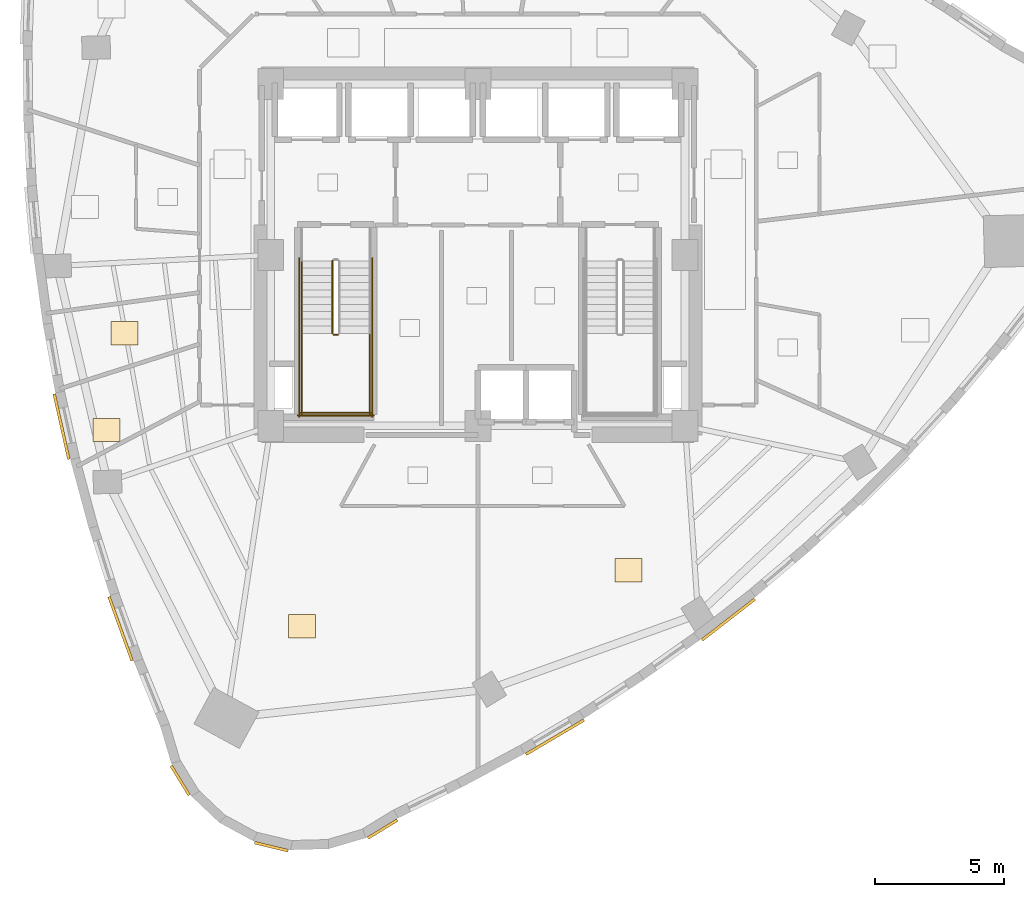
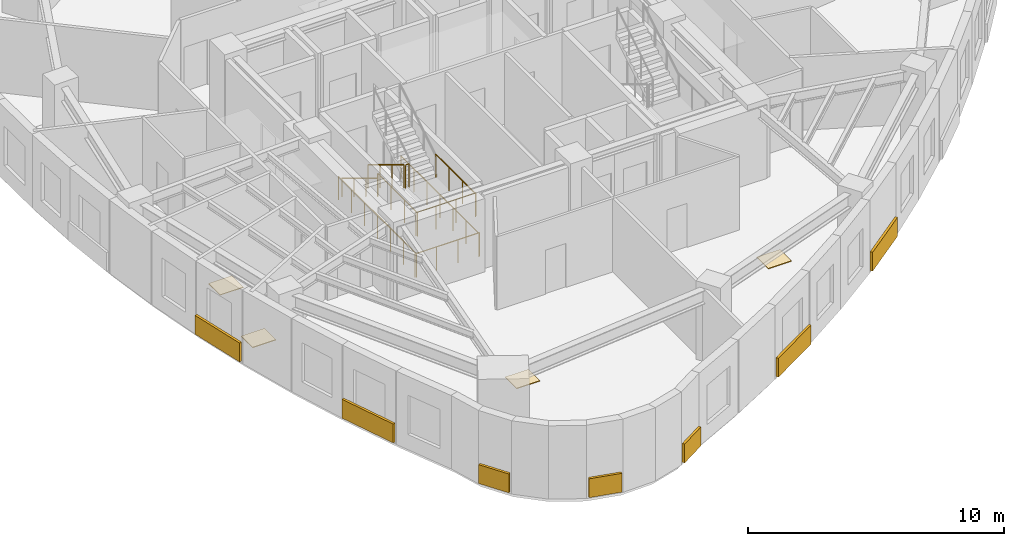
# One storey, part 10 of 12: 11 coverings, 9 railings.
"""IFC4 building model written with IfcOpenShell, lengths in metres."""

from ifc_helpers import new_model, si_unit, direction, frame, origin, origin_2d, place, context, subcontext, project, spatial, rectangle, circle, extrude, material, layer, layer_set, type_object, element, save


model = new_model("IFC4")

# Units and contexts
model_context = context("Model", 3, precision=1e-05, world=origin(), true_north=direction((0.0, 1.0)))
body_context = subcontext(model_context, "Body", "Model", "MODEL_VIEW")
ifc_project = project(units=[si_unit("LENGTHUNIT", "METRE"), si_unit("AREAUNIT", "SQUARE_METRE"), si_unit("VOLUMEUNIT", "CUBIC_METRE"), si_unit("PLANEANGLEUNIT", "RADIAN"), si_unit("MASSUNIT", "GRAM", prefix="KILO")], contexts=[model_context])

# Site, building, storey
site_placement = place(None, origin())
site = spatial("IfcSite", under=ifc_project, at=site_placement, CompositionType="ELEMENT")
building_placement = place(site_placement, origin())
building = spatial("IfcBuilding", under=site, at=building_placement, Name="Ndelora Gate Hotel", CompositionType="ELEMENT")
storey_placement = place(building_placement, frame((0.0, 0.0, 161.0)))
storey = spatial("IfcBuildingStorey", under=building, at=storey_placement, Name="L40", CompositionType="ELEMENT", Elevation=161.0)

# Coverings
ifc_material_1 = material(Name="Terracotta Fired Clay Brick Slip Cladding", Category="masonry")
ifc_layer_1 = layer(ifc_material_1, 0.110107421875)
ifc_layer_set_1 = layer_set([ifc_layer_1], Name="Terracotta Fired Clay Brick Slip Cladding")
covering_type_1 = type_object("IfcCoveringType", Name="COV-CLAD-BRK", PredefinedType="CLADDING", material=ifc_layer_set_1)
covering_1_placement = place(storey_placement, frame((-16.08154296875, -6.630615234375, 0.10009765625), z_axis=(0.0, 0.0, 1.0), x_axis=(-0.218994806262, 0.975726024471, 0.0)))
element("IfcCovering", 1, at=covering_1_placement, inside=storey, type_object=covering_type_1, Name="L40 Rounded-Corner Brick Cladding Band 16", PredefinedType="CLADDING", context=body_context, shape_type="SweptSolid", body=[
    extrude(rectangle(XDim=2.583984375, YDim=0.110107421875, at=origin_2d()), origin(), (0.0, 0.0, 1.0), 0.89990234375),
])
covering_2_placement = place(storey_placement, frame((-13.8037109375, -14.436279296875, 0.10009765625), z_axis=(0.0, 0.0, 1.0), x_axis=(-0.339230517808, 0.940703277228, 0.0)))
element("IfcCovering", 2, at=covering_2_placement, inside=storey, type_object=covering_type_1, Name="L40 Rounded-Corner Brick Cladding Band 19", PredefinedType="CLADDING", context=body_context, shape_type="SweptSolid", body=[
    extrude(rectangle(XDim=2.6279296875, YDim=0.110107421875, at=origin_2d()), origin(), (0.0, 0.0, 1.0), 0.89990234375),
])
for number, where, z_axis, x_axis, name in (
    (3, (-11.5, -20.298583984375, 0.10009765625), (0.0, 0.0, 1.0), (-0.522498564716, 0.852640164354, 0.0), "L40 Rounded-Corner Brick Cladding Band 22"),
    (4, (-7.97900390625, -22.85693359375, 0.10009765625), (0.0, 0.0, 1.0), (-0.972369920398, 0.233445363856, 0.0), "L40 Rounded-Corner Brick Cladding Band 25"),
    (5, (-3.680419921875, -22.176025390625, 0.10009765625), (0.0, 0.0, 1.0), (0.852640164354, 0.522498564716, 0.0), "L40 Rounded-Corner Brick Cladding Band 28"),
):
    element("IfcCovering", number, at=place(storey_placement, frame(where, z_axis=z_axis, x_axis=x_axis)), inside=storey, type_object=covering_type_1, Name=name, PredefinedType="CLADDING", context=body_context, shape_type="SweptSolid", body=[
        extrude(rectangle(XDim=1.3359375, YDim=0.110107421875, at=origin_2d()), origin(), (0.0, 0.0, 1.0), 0.89990234375),
    ])
covering_3_placement = place(storey_placement, frame((2.975341796875, -18.628173828125, 0.10009765625), z_axis=(0.0, 0.0, 1.0), x_axis=(0.861274621876, 0.508139769859, 0.0)))
element("IfcCovering", 6, at=covering_3_placement, inside=storey, type_object=covering_type_1, Name="L40 Rounded-Corner Brick Cladding Band 31", PredefinedType="CLADDING", context=body_context, shape_type="SweptSolid", body=[
    extrude(rectangle(XDim=2.60791015625, YDim=0.110107421875, at=origin_2d()), origin(), (0.0, 0.0, 1.0), 0.89990234375),
])
covering_4_placement = place(storey_placement, frame((9.67578125, -14.084716796875, 0.10009765625), z_axis=(0.0, 0.0, 1.0), x_axis=(0.790368909154, 0.612631200187, 0.0)))
element("IfcCovering", 7, at=covering_4_placement, inside=storey, type_object=covering_type_1, Name="L40 Rounded-Corner Brick Cladding Band 34", PredefinedType="CLADDING", context=body_context, shape_type="SweptSolid", body=[
    extrude(rectangle(XDim=2.580078125, YDim=0.110107421875, at=origin_2d()), origin(), (0.0, 0.0, 1.0), 0.89990234375),
])
ifc_material_2 = material(Name="Engineered Highland Oak Parquet", Category="wood")
ifc_layer_2 = layer(ifc_material_2, 0.030029296875)
ifc_layer_set_2 = layer_set([ifc_layer_2], Name="Engineered Highland Oak Parquet")
covering_type_2 = type_object("IfcCoveringType", Name="COV-FLR-PARQ", PredefinedType="FLOORING", material=ifc_layer_set_2)
for number, where, z_axis, x_axis, name in (
    (8, (-6.793212890625, -14.343505859375, 0.0), (0.0, 0.0, 1.0), (1.0, 0.0, 0.0), "L40 Club King Corner Suite 4301 Oak Parquet Flooring"),
    (9, (5.814453125, -12.183837890625, 0.0), (0.0, 0.0, 1.0), (1.0, 0.0, 0.0), "L40 Club Twin Corner Suite 4302 Oak Parquet Flooring"),
    (10, (-13.6513671875, -3.01953125, 0.0), (0.0, 0.0, 1.0), (1.0, 0.0, 0.0), "L40 Housekeeping and Linen Room Oak Parquet Flooring"),
    (11, (-14.341064453125, -6.76171875, 0.0), (0.0, 0.0, 1.0), (1.0, 0.0, 0.0), "L40 Accessible WC Oak Parquet Flooring"),
):
    element("IfcCovering", number, at=place(storey_placement, frame(where, z_axis=z_axis, x_axis=x_axis)), inside=storey, type_object=covering_type_2, Name=name, PredefinedType="FLOORING", context=body_context, shape_type="SweptSolid", body=[
        extrude(rectangle(XDim=1.050048828125, YDim=0.89990234375, at=origin_2d()), origin(), (0.0, 0.0, 1.0), 0.030029296875),
    ])

# Railings
ifc_material_3 = material(Name="Painted Galvanized Steel Balustrade", Category="steel")
ifc_layer_3 = layer(ifc_material_3, 0.06005859375)
ifc_layer_set_3 = layer_set([ifc_layer_3], Name="Painted Galvanized Steel Balustrade")
railing_type_1 = type_object("IfcRailingType", Name="RL-STAIR-GD", PredefinedType="GUARDRAIL", material=ifc_layer_set_3)
railing_1_placement = place(storey_placement, frame((-5.6201171875, -0.22998046875, 0.17041015625)))
element("IfcRailing", 12, at=railing_1_placement, inside=storey, type_object=railing_type_1, Name="L40 ST4 stair guard 1", PredefinedType="GUARDRAIL", context=body_context, shape_type="SweptSolid", body=[
    extrude(circle(Radius=0.02392578125, at=origin_2d()), frame((0.0, 0.0, 1.10595703125), z_axis=(0.0, -0.854169791009, 0.51999420009), x_axis=(1.0, 0.0, 0.0)), (0.0, 0.0, 1.0), 3.278076171875),
    extrude(circle(Radius=0.02099609375, at=origin_2d()), origin(), (0.0, 0.0, 1.0), 1.081787109375),
    extrude(circle(Radius=0.02099609375, at=origin_2d()), frame((0.0, -0.933349609375, 0.568115234375)), (0.0, 0.0, 1.0), 1.081787109375),
    extrude(circle(Radius=0.02099609375, at=origin_2d()), frame((0.0, -1.86669921875, 1.136474609375)), (0.0, 0.0, 1.0), 1.081787109375),
    extrude(circle(Radius=0.02099609375, at=origin_2d()), frame((0.0, -2.800048828125, 1.70458984375)), (0.0, 0.0, 1.0), 1.081787109375),
])
railing_2_placement = place(storey_placement, frame((-5.570068359375, -3.080078125, 1.875)))
element("IfcRailing", 13, at=railing_2_placement, inside=storey, type_object=railing_type_1, Name="L40 ST4 stair guard 2", PredefinedType="GUARDRAIL", context=body_context, shape_type="SweptSolid", body=[
    extrude(circle(Radius=0.02392578125, at=origin_2d()), frame((0.0, 0.0, 1.10595703125), z_axis=(1.0, 0.0, 0.0), x_axis=(0.0, 1.0, 0.0)), (0.0, 0.0, 1.0), 0.16015625),
    extrude(circle(Radius=0.02099609375, at=origin_2d()), origin(), (0.0, 0.0, 1.0), 1.081787109375),
    extrude(circle(Radius=0.02099609375, at=origin_2d()), frame((0.16015625, 0.0, 0.0)), (0.0, 0.0, 1.0), 1.081787109375),
])
for number, where, name in (
    (14, (-6.800048828125, -3.030029296875, 1.875), "L40 ST4 stair guard 3"),
    (15, (-4.179931640625, -3.030029296875, 1.875), "L40 ST4 stair guard 4"),
):
    element("IfcRailing", number, at=place(storey_placement, frame(where)), inside=storey, type_object=railing_type_1, Name=name, PredefinedType="GUARDRAIL", context=body_context, shape_type="SweptSolid", body=[
        extrude(circle(Radius=0.02392578125, at=origin_2d()), frame((0.0, 0.0, 1.10595703125), z_axis=(0.0, -1.0, 0.0), x_axis=(1.0, 0.0, 0.0)), (0.0, 0.0, 1.0), 3.119873046875),
        extrude(circle(Radius=0.02099609375, at=origin_2d()), origin(), (0.0, 0.0, 1.0), 1.081787109375),
        extrude(circle(Radius=0.02099609375, at=origin_2d()), frame((0.0, -1.0400390625, 0.0)), (0.0, 0.0, 1.0), 1.081787109375),
        extrude(circle(Radius=0.02099609375, at=origin_2d()), frame((0.0, -2.079833984375, 0.0)), (0.0, 0.0, 1.0), 1.081787109375),
        extrude(circle(Radius=0.02099609375, at=origin_2d()), frame((0.0, -3.119873046875, 0.0)), (0.0, 0.0, 1.0), 1.081787109375),
    ])
railing_3_placement = place(storey_placement, frame((-6.85009765625, -6.10009765625, 1.875)))
element("IfcRailing", 16, at=railing_3_placement, inside=storey, type_object=railing_type_1, Name="L40 ST4 stair guard 5", PredefinedType="GUARDRAIL", context=body_context, shape_type="SweptSolid", body=[
    extrude(circle(Radius=0.02392578125, at=origin_2d()), frame((0.0, 0.0, 1.10595703125), z_axis=(1.0, 0.0, 0.0), x_axis=(0.0, 1.0, 0.0)), (0.0, 0.0, 1.0), 2.72021484375),
    extrude(circle(Radius=0.02099609375, at=origin_2d()), origin(), (0.0, 0.0, 1.0), 1.081787109375),
    extrude(circle(Radius=0.02099609375, at=origin_2d()), frame((0.90673828125, 0.0, 0.0)), (0.0, 0.0, 1.0), 1.081787109375),
    extrude(circle(Radius=0.02099609375, at=origin_2d()), frame((1.8134765625, 0.0, 0.0)), (0.0, 0.0, 1.0), 1.081787109375),
    extrude(circle(Radius=0.02099609375, at=origin_2d()), frame((2.72021484375, 0.0, 0.0)), (0.0, 0.0, 1.0), 1.081787109375),
])
for number, where, name in (
    (17, (-6.89990234375, -0.1298828125, 0.0), "L40 ST4 stair guard 10"),
    (18, (-4.080078125, -0.1298828125, 0.0), "L40 ST4 stair guard 11"),
):
    element("IfcRailing", number, at=place(storey_placement, frame(where)), inside=storey, type_object=railing_type_1, Name=name, PredefinedType="GUARDRAIL", context=body_context, shape_type="SweptSolid", body=[
        extrude(circle(Radius=0.02392578125, at=origin_2d()), frame((0.0, 0.0, 1.10595703125), z_axis=(0.0, -1.0, 0.0), x_axis=(1.0, 0.0, 0.0)), (0.0, 0.0, 1.0), 6.1201171875),
        extrude(circle(Radius=0.02099609375, at=origin_2d()), origin(), (0.0, 0.0, 1.0), 1.081787109375),
        extrude(circle(Radius=0.02099609375, at=origin_2d()), frame((0.0, -1.02001953125, 0.0)), (0.0, 0.0, 1.0), 1.081787109375),
        extrude(circle(Radius=0.02099609375, at=origin_2d()), frame((0.0, -2.0400390625, 0.0)), (0.0, 0.0, 1.0), 1.081787109375),
        extrude(circle(Radius=0.02099609375, at=origin_2d()), frame((0.0, -3.06005859375, 0.0)), (0.0, 0.0, 1.0), 1.081787109375),
        extrude(circle(Radius=0.02099609375, at=origin_2d()), frame((0.0, -4.080078125, 0.0)), (0.0, 0.0, 1.0), 1.081787109375),
        extrude(circle(Radius=0.02099609375, at=origin_2d()), frame((0.0, -5.10009765625, 0.0)), (0.0, 0.0, 1.0), 1.081787109375),
        extrude(circle(Radius=0.02099609375, at=origin_2d()), frame((0.0, -6.1201171875, 0.0)), (0.0, 0.0, 1.0), 1.081787109375),
    ])
railing_4_placement = place(storey_placement, frame((-6.949951171875, -6.199951171875, 0.0)))
element("IfcRailing", 19, at=railing_4_placement, inside=storey, type_object=railing_type_1, Name="L40 ST4 stair guard 12", PredefinedType="GUARDRAIL", context=body_context, shape_type="SweptSolid", body=[
    extrude(circle(Radius=0.02392578125, at=origin_2d()), frame((0.0, 0.0, 1.10595703125), z_axis=(1.0, 0.0, 0.0), x_axis=(0.0, 1.0, 0.0)), (0.0, 0.0, 1.0), 2.919921875),
    extrude(circle(Radius=0.02099609375, at=origin_2d()), origin(), (0.0, 0.0, 1.0), 1.081787109375),
    extrude(circle(Radius=0.02099609375, at=origin_2d()), frame((0.973388671875, 0.0, 0.0)), (0.0, 0.0, 1.0), 1.081787109375),
    extrude(circle(Radius=0.02099609375, at=origin_2d()), frame((1.946533203125, 0.0, 0.0)), (0.0, 0.0, 1.0), 1.081787109375),
    extrude(circle(Radius=0.02099609375, at=origin_2d()), frame((2.919921875, 0.0, 0.0)), (0.0, 0.0, 1.0), 1.081787109375),
])
ifc_material_4 = material(Name="Brushed Stainless Steel 316", Category="steel")
ifc_layer_4 = layer(ifc_material_4, 0.050048828125)
ifc_layer_set_4 = layer_set([ifc_layer_4], Name="Brushed Stainless Steel 316")
railing_type_2 = type_object("IfcRailingType", Name="RL-STAIR-HR", PredefinedType="HANDRAIL", material=ifc_layer_set_4)
railing_5_placement = place(storey_placement, frame((-6.800048828125, -0.22998046875, 0.17041015625)))
element("IfcRailing", 20, at=railing_5_placement, inside=storey, type_object=railing_type_2, Name="L40 ST4 stair handrail 1", PredefinedType="HANDRAIL", context=body_context, shape_type="SweptSolid", body=[
    extrude(circle(Radius=0.02392578125, at=origin_2d()), frame((0.0, 0.0, 0.8759765625), z_axis=(0.0, -0.854169791009, 0.51999420009), x_axis=(1.0, 0.0, 0.0)), (0.0, 0.0, 1.0), 3.278076171875),
    extrude(circle(Radius=0.02099609375, at=origin_2d()), origin(), (0.0, 0.0, 1.0), 0.851806640625),
    extrude(circle(Radius=0.02099609375, at=origin_2d()), frame((0.0, -0.933349609375, 0.568115234375)), (0.0, 0.0, 1.0), 0.851806640625),
    extrude(circle(Radius=0.02099609375, at=origin_2d()), frame((0.0, -1.86669921875, 1.136474609375)), (0.0, 0.0, 1.0), 0.851806640625),
    extrude(circle(Radius=0.02099609375, at=origin_2d()), frame((0.0, -2.800048828125, 1.70458984375)), (0.0, 0.0, 1.0), 0.851806640625),
])

save(model, "model.ifc")
